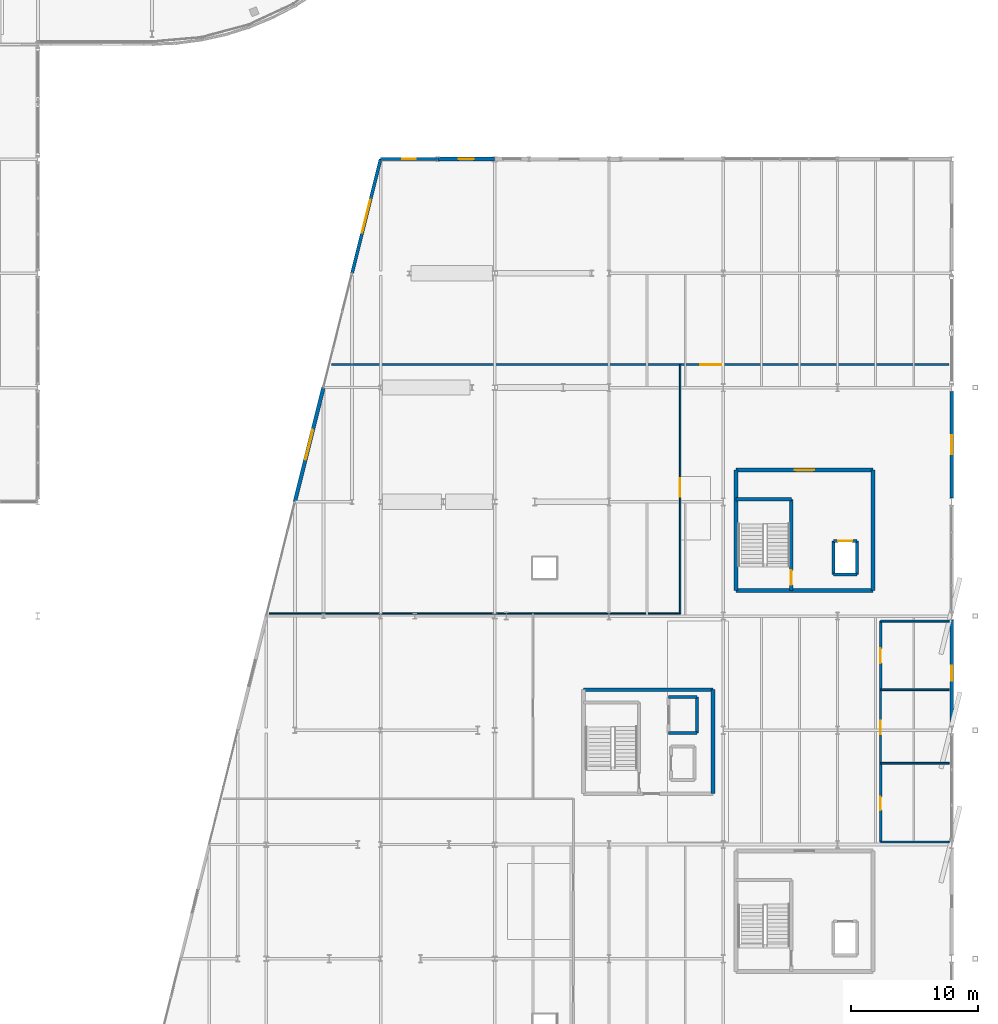
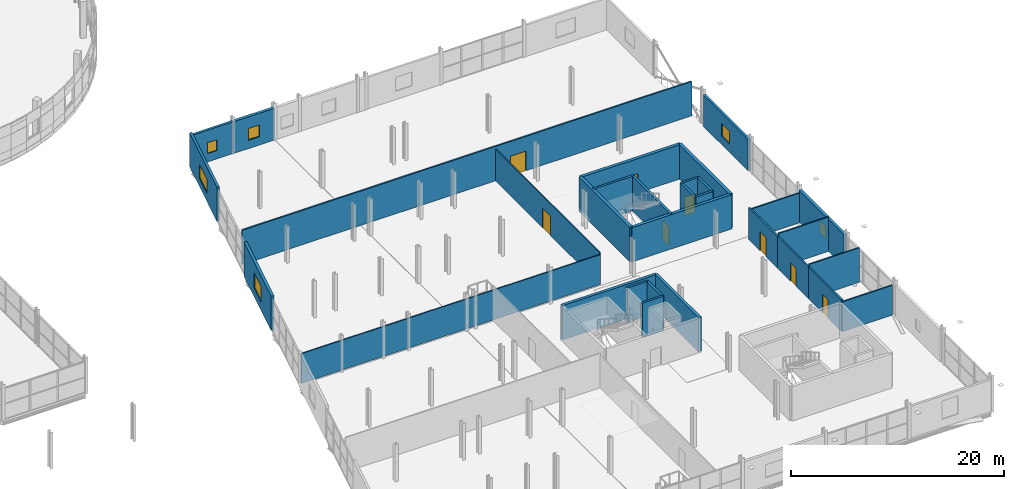
# One storey, part 116 of 132: 31 walls, 8 doors, 6 windows, 14 openings.
"""IFC4 building model written with IfcOpenShell, lengths in metres."""

from ifc_helpers import new_model, si_unit, direction, frame, frame_2d, origin, place, context, subcontext, project, spatial, rectangle, extrude, material, layer, layer_set, type_object, element, fill, save


model = new_model("IFC4")

# Units and contexts
model_context = context("Model", 3, precision=1e-05, world=origin(), true_north=direction((0.0, 1.0)))
body_context = subcontext(model_context, "Body", "Model", "MODEL_VIEW")
ifc_project = project(units=[si_unit("LENGTHUNIT", "METRE"), si_unit("AREAUNIT", "SQUARE_METRE"), si_unit("VOLUMEUNIT", "CUBIC_METRE"), si_unit("PLANEANGLEUNIT", "RADIAN"), si_unit("MASSUNIT", "GRAM", prefix="KILO")], contexts=[model_context])

# Site, building, storey
site_placement = place(None, origin())
site = spatial("IfcSite", under=ifc_project, at=site_placement, CompositionType="ELEMENT")
building_placement = place(site_placement, origin())
building = spatial("IfcBuilding", under=site, at=building_placement, Name="Deido Ridge Mobility Hub", CompositionType="ELEMENT")
storey_placement = place(building_placement, frame((0.0, 0.0, 8.39990234375)))
storey = spatial("IfcBuildingStorey", under=building, at=storey_placement, Name="L02", CompositionType="ELEMENT", Elevation=8.39990234375)

# Wall, opening, window
ifc_material_1 = material(Name="Concrete blockwork masonry", Category="masonry")
ifc_layer_1 = layer(ifc_material_1, 0.2451171875, Name="Concrete blockwork masonry")
ifc_layer_set_1 = layer_set([ifc_layer_1], Name="Concrete blockwork masonry")
wall_type_1 = type_object("IfcWallType", Name="WL-EXT-BLK-245", PredefinedType="STANDARD", material=ifc_layer_set_1)
wall_1_placement = place(storey_placement, frame((132.75, 63.0, 0.0), z_axis=(0.0, 0.0, 1.0), x_axis=(0.242535625036, 0.970142500145, 0.0)))
wall_1 = element("IfcWall", 1, at=wall_1_placement, inside=storey, type_object=wall_type_1, Name="Exterior wall EW4", PredefinedType="STANDARD", context=body_context, shape_type="SweptSolid", body=[
    extrude(rectangle(XDim=9.277099609375, YDim=0.2451171875, at=frame_2d((4.638671875, 0.0))), origin(), (0.0, 0.0, 1.0), 3.93505859375),
])
opening_1_placement = place(wall_1_placement, frame((3.28857421875, 0.0, 0.949951171875)))
opening_1 = element("IfcOpeningElement", 2, at=opening_1_placement, cuts=wall_1, Name="Opening W13", PredefinedType="OPENING", context=body_context, shape_type="SweptSolid", body=[
    extrude(rectangle(XDim=2.699951171875, YDim=1.60009765625, at=frame_2d((1.35009765625, 0.800048828125))), frame((0.0, 0.132568359375, 0.0), z_axis=(0.0, -1.0, 0.0), x_axis=(1.0, 0.0, 0.0)), (0.0, 0.0, 1.0), 0.26513671875),
])
ifc_material_2 = material(Name="Laminated solar-control low-E glass", Category="glass")
window_type_1 = type_object("IfcWindowType", Name="WN-ALU-2700X1600", PartitioningType="DOUBLE_PANEL_VERTICAL", PredefinedType="WINDOW", material=ifc_material_2)
window_1_placement = place(opening_1_placement, origin())
window_1 = element("IfcWindow", 3, at=window_1_placement, inside=storey, type_object=window_type_1, Name="Exterior window W13", OverallHeight=1.60009765625, OverallWidth=2.699951171875, PartitioningType="SINGLE_PANEL", PredefinedType="WINDOW", context=body_context, shape_type="SweptSolid", body=[
    extrude(rectangle(XDim=2.699951171875, YDim=1.60009765625, at=frame_2d((1.35009765625, 0.800048828125))), frame((0.0, 0.030029296875, 0.0), z_axis=(0.0, -1.0, 0.0), x_axis=(1.0, 0.0, 0.0)), (0.0, 0.0, 1.0), 0.06005859375),
])
fill(opening_1, window_1)

ifc_layer_2 = layer(ifc_material_1, 0.264892578125, Name="Concrete blockwork masonry")
ifc_layer_set_2 = layer_set([ifc_layer_2], Name="Concrete blockwork masonry")
wall_type_2 = type_object("IfcWallType", Name="WL-EXT-BLK-265", PredefinedType="STANDARD", material=ifc_layer_set_2)
wall_2_placement = place(storey_placement, frame((180.0, 45.300048828125, 0.0), z_axis=(0.0, 0.0, 1.0), x_axis=(0.0, 1.0, 0.0)))
wall_2 = element("IfcWall", 4, at=wall_2_placement, inside=storey, type_object=wall_type_2, Name="Exterior wall EW3", PredefinedType="STANDARD", context=body_context, shape_type="SweptSolid", body=[
    extrude(rectangle(XDim=8.39990234375, YDim=0.264892578125, at=frame_2d((4.199951171875, 0.0))), origin(), (0.0, 0.0, 1.0), 3.610107421875),
])
opening_2_placement = place(wall_2_placement, frame((3.449951171875, 0.0, 0.949951171875)))
opening_2 = element("IfcOpeningElement", 5, at=opening_2_placement, cuts=wall_2, Name="Opening W5", PredefinedType="OPENING", context=body_context, shape_type="SweptSolid", body=[
    extrude(rectangle(XDim=1.5, YDim=1.5, at=frame_2d((0.75, 0.75))), frame((0.0, 0.142578125, 0.0), z_axis=(0.0, -1.0, 0.0), x_axis=(1.0, 0.0, 0.0)), (0.0, 0.0, 1.0), 0.284912109375),
])
window_type_2 = type_object("IfcWindowType", Name="WN-ALU-1500X1500", PartitioningType="SINGLE_PANEL", PredefinedType="WINDOW", material=ifc_material_2)
window_2_placement = place(opening_2_placement, origin())
window_2 = element("IfcWindow", 6, at=window_2_placement, inside=storey, type_object=window_type_2, Name="Exterior window W5", OverallHeight=1.5, OverallWidth=1.5, PartitioningType="SINGLE_PANEL", PredefinedType="WINDOW", context=body_context, shape_type="SweptSolid", body=[
    extrude(rectangle(XDim=1.5, YDim=1.5, at=frame_2d((0.75, 0.75))), frame((0.0, 0.030029296875, 0.0), z_axis=(0.0, -1.0, 0.0), x_axis=(1.0, 0.0, 0.0)), (0.0, 0.0, 1.0), 0.06005859375),
])
fill(opening_2, window_2)

ifc_material_3 = material(Name="Fired clay brick masonry", Category="masonry")
ifc_layer_3 = layer(ifc_material_3, 0.294921875, Name="Fired clay brick masonry")
ifc_layer_set_3 = layer_set([ifc_layer_3], Name="Fired clay brick masonry")
wall_type_3 = type_object("IfcWallType", Name="WL-EXT-BRK-295", PredefinedType="STANDARD", material=ifc_layer_set_3)
wall_3_placement = place(storey_placement, frame((128.25, 45.0, 0.0), z_axis=(0.0, 0.0, 1.0), x_axis=(0.242535625036, 0.970142500145, 0.0)))
wall_3 = element("IfcWall", 7, at=wall_3_placement, inside=storey, type_object=wall_type_3, Name="Exterior wall EW2", PredefinedType="STANDARD", context=body_context, shape_type="SweptSolid", body=[
    extrude(rectangle(XDim=9.277099609375, YDim=0.294921875, at=frame_2d((4.638671875, 0.0))), origin(), (0.0, 0.0, 1.0), 3.93505859375),
])
opening_3_placement = place(wall_3_placement, frame((3.4384765625, 0.0, 0.949951171875)))
opening_3 = element("IfcOpeningElement", 8, at=opening_3_placement, cuts=wall_3, Name="Opening W11", PredefinedType="OPENING", context=body_context, shape_type="SweptSolid", body=[
    extrude(rectangle(XDim=2.39990234375, YDim=1.800048828125, at=frame_2d((1.199951171875, 0.89990234375))), frame((0.0, 0.157470703125, 0.0), z_axis=(0.0, -1.0, 0.0), x_axis=(1.0, 0.0, 0.0)), (0.0, 0.0, 1.0), 0.31494140625),
])
window_type_3 = type_object("IfcWindowType", Name="WN-ALU-2400X1800", PartitioningType="DOUBLE_PANEL_VERTICAL", PredefinedType="WINDOW", material=ifc_material_2)
window_3_placement = place(opening_3_placement, origin())
window_3 = element("IfcWindow", 9, at=window_3_placement, inside=storey, type_object=window_type_3, Name="Exterior window W11", OverallHeight=1.800048828125, OverallWidth=2.39990234375, PartitioningType="SINGLE_PANEL", PredefinedType="WINDOW", context=body_context, shape_type="SweptSolid", body=[
    extrude(rectangle(XDim=2.39990234375, YDim=1.800048828125, at=frame_2d((1.199951171875, 0.89990234375))), frame((0.0, 0.030029296875, 0.0), z_axis=(0.0, -1.0, 0.0), x_axis=(1.0, 0.0, 0.0)), (0.0, 0.0, 1.0), 0.06005859375),
])
fill(opening_3, window_3)

ifc_layer_4 = layer(ifc_material_3, 0.31005859375, Name="Fired clay brick masonry")
ifc_layer_set_4 = layer_set([ifc_layer_4], Name="Fired clay brick masonry")
wall_type_4 = type_object("IfcWallType", Name="WL-EXT-BRK-310", PredefinedType="STANDARD", material=ifc_layer_set_4)
wall_4_placement = place(storey_placement, frame((180.0, 27.300048828125, 0.0), z_axis=(0.0, 0.0, 1.0), x_axis=(0.0, 1.0, 0.0)))
wall_4 = element("IfcWall", 10, at=wall_4_placement, inside=storey, type_object=wall_type_4, Name="Exterior wall EW1", PredefinedType="STANDARD", context=body_context, shape_type="SweptSolid", body=[
    extrude(rectangle(XDim=8.39990234375, YDim=0.31005859375, at=frame_2d((4.199951171875, 0.0))), origin(), (0.0, 0.0, 1.0), 3.610107421875),
])
opening_4_placement = place(wall_4_placement, frame((3.60009765625, 0.0, 0.949951171875)))
opening_4 = element("IfcOpeningElement", 11, at=opening_4_placement, cuts=wall_4, Name="Opening W3", PredefinedType="OPENING", context=body_context, shape_type="SweptSolid", body=[
    extrude(rectangle(XDim=1.199951171875, YDim=1.35009765625, at=frame_2d((0.60009765625, 0.675048828125))), frame((0.0, 0.1650390625, 0.0), z_axis=(0.0, -1.0, 0.0), x_axis=(1.0, 0.0, 0.0)), (0.0, 0.0, 1.0), 0.330078125),
])
window_type_4 = type_object("IfcWindowType", Name="WN-ALU-1200X1350", PartitioningType="SINGLE_PANEL", PredefinedType="WINDOW", material=ifc_material_2)
window_4_placement = place(opening_4_placement, origin())
window_4 = element("IfcWindow", 12, at=window_4_placement, inside=storey, type_object=window_type_4, Name="Exterior window W3", OverallHeight=1.35009765625, OverallWidth=1.199951171875, PartitioningType="SINGLE_PANEL", PredefinedType="WINDOW", context=body_context, shape_type="SweptSolid", body=[
    extrude(rectangle(XDim=1.199951171875, YDim=1.35009765625, at=frame_2d((0.60009765625, 0.675048828125))), frame((0.0, 0.030029296875, 0.0), z_axis=(0.0, -1.0, 0.0), x_axis=(1.0, 0.0, 0.0)), (0.0, 0.0, 1.0), 0.06005859375),
])
fill(opening_4, window_4)

wall_5_placement = place(storey_placement, frame((139.506103515625, 72.0, 0.0), z_axis=(0.0, 0.0, 1.0), x_axis=(1.0, 0.0, 0.0)))
wall_5 = element("IfcWall", 13, at=wall_5_placement, inside=storey, type_object=wall_type_4, Name="Exterior wall EW1", PredefinedType="STANDARD", context=body_context, shape_type="SweptSolid", body=[
    extrude(rectangle(XDim=4.485107421875, YDim=0.31005859375, at=frame_2d((2.24267578125, 0.0))), origin(), (0.0, 0.0, 1.0), 3.64013671875),
])
opening_5_placement = place(wall_5_placement, frame((1.642578125, 0.0, 0.949951171875)))
opening_5 = element("IfcOpeningElement", 14, at=opening_5_placement, cuts=wall_5, Name="Opening W3", PredefinedType="OPENING", context=body_context, shape_type="SweptSolid", body=[
    extrude(rectangle(XDim=1.199951171875, YDim=1.35009765625, at=frame_2d((0.60009765625, 0.675048828125))), frame((0.0, 0.1650390625, 0.0), z_axis=(0.0, -1.0, 0.0), x_axis=(1.0, 0.0, 0.0)), (0.0, 0.0, 1.0), 0.330078125),
])
window_5_placement = place(opening_5_placement, origin())
window_5 = element("IfcWindow", 15, at=window_5_placement, inside=storey, type_object=window_type_4, Name="Exterior window W3", OverallHeight=1.35009765625, OverallWidth=1.199951171875, PartitioningType="SINGLE_PANEL", PredefinedType="WINDOW", context=body_context, shape_type="SweptSolid", body=[
    extrude(rectangle(XDim=1.199951171875, YDim=1.35009765625, at=frame_2d((0.60009765625, 0.675048828125))), frame((0.0, 0.030029296875, 0.0), z_axis=(0.0, -1.0, 0.0), x_axis=(1.0, 0.0, 0.0)), (0.0, 0.0, 1.0), 0.06005859375),
])
fill(opening_5, window_5)

# Wall, opening, door
ifc_material_4 = material(Name="Treated tropical hardwood timber D40", Category="wood")
ifc_layer_5 = layer(ifc_material_4, 0.10498046875, Name="Treated tropical hardwood timber D40")
ifc_layer_set_5 = layer_set([ifc_layer_5], Name="Treated tropical hardwood timber D40")
wall_type_5 = type_object("IfcWallType", Name="WL-MOV-ACO-105", PredefinedType="MOVABLE", material=ifc_layer_set_5)
wall_6_placement = place(storey_placement, frame((158.60009765625, 36.199951171875, 0.0), z_axis=(0.0, 0.0, 1.0), x_axis=(0.0, 1.0, 0.0)))
wall_6 = element("IfcWall", 16, at=wall_6_placement, inside=storey, type_object=wall_type_5, Name="V6 north-west room wall (L02)", PredefinedType="MOVABLE", context=body_context, shape_type="SweptSolid", body=[
    extrude(rectangle(XDim=19.60009765625, YDim=0.10498046875, at=frame_2d((9.800048828125, 0.0))), origin(), (0.0, 0.0, 1.0), 3.64013671875),
])
opening_6_placement = place(wall_6_placement, frame((9.199951171875, 0.0, 0.0)))
opening_6 = element("IfcOpeningElement", 17, at=opening_6_placement, cuts=wall_6, Name="Opening DR-L02-163", PredefinedType="OPENING", context=body_context, shape_type="SweptSolid", body=[
    extrude(rectangle(XDim=1.449951171875, YDim=2.219970703125, at=frame_2d((0.72509765625, 1.10986328125))), frame((0.0, 0.0625, 0.0), z_axis=(0.0, -1.0, 0.0), x_axis=(1.0, 0.0, 0.0)), (0.0, 0.0, 1.0), 0.125),
])
door_type_1 = type_object("IfcDoorType", Name="DR-INT-1450X2220", OperationType="DOUBLE_DOOR_SINGLE_SWING", PredefinedType="DOOR", material=ifc_material_4)
door_1_placement = place(opening_6_placement, origin())
door_1 = element("IfcDoor", 18, at=door_1_placement, inside=storey, type_object=door_type_1, Name="DR-I0163 V6 north-west room door (L02)", OperationType="DOUBLE_DOOR_SINGLE_SWING", OverallHeight=2.219970703125, OverallWidth=1.449951171875, PredefinedType="DOOR", context=body_context, shape_type="SweptSolid", body=[
    extrude(rectangle(XDim=1.449951171875, YDim=2.219970703125, at=frame_2d((0.72509765625, 1.10986328125))), frame((0.0, 0.02490234375, 0.0), z_axis=(0.0, -1.0, 0.0), x_axis=(1.0, 0.0, 0.0)), (0.0, 0.0, 1.0), 0.050048828125),
])
fill(opening_6, door_1)

# Wall
ifc_layer_6 = layer(ifc_material_4, 0.114990234375, Name="Treated tropical hardwood timber D40")
ifc_layer_set_6 = layer_set([ifc_layer_6], Name="Treated tropical hardwood timber D40")
wall_type_6 = type_object("IfcWallType", Name="WL-MOV-ACO-115", PredefinedType="MOVABLE", material=ifc_layer_set_6)
wall_7_placement = place(storey_placement, frame((126.25, 36.199951171875, 0.0), z_axis=(0.0, 0.0, 1.0), x_axis=(1.0, 0.0, 0.0)))
element("IfcWall", 19, at=wall_7_placement, inside=storey, type_object=wall_type_6, Name="V6 central-north cross wall (L02)", PredefinedType="MOVABLE", context=body_context, shape_type="SweptSolid", body=[
    extrude(rectangle(XDim=32.35009765625, YDim=0.114990234375, at=frame_2d((16.175048828125, 0.0))), origin(), (0.0, 0.0, 1.0), 3.41015625),
])

# Wall, opening, window
ifc_layer_7 = layer(ifc_material_1, 0.2548828125, Name="Concrete blockwork masonry")
ifc_layer_set_7 = layer_set([ifc_layer_7], Name="Concrete blockwork masonry")
wall_type_7 = type_object("IfcWallType", Name="WL-PLG-BLK-255", PredefinedType="POLYGONAL", material=ifc_layer_set_7)
wall_8_placement = place(storey_placement, frame((135.0, 72.0, 0.0), z_axis=(0.0, 0.0, 1.0), x_axis=(1.0, 0.0, 0.0)))
wall_8 = element("IfcWall", 20, at=wall_8_placement, inside=storey, type_object=wall_type_7, Name="Exterior wall PGW2", PredefinedType="POLYGONAL", context=body_context, shape_type="SweptSolid", body=[
    extrude(rectangle(XDim=4.493896484375, YDim=0.2548828125, at=frame_2d((2.2470703125, 0.0))), origin(), (0.0, 0.0, 1.0), 3.64013671875),
])
opening_7_placement = place(wall_8_placement, frame((1.721923828125, 0.0, 0.949951171875)))
opening_7 = element("IfcOpeningElement", 21, at=opening_7_placement, cuts=wall_8, Name="Opening W2", PredefinedType="OPENING", context=body_context, shape_type="SweptSolid", body=[
    extrude(rectangle(XDim=1.050048828125, YDim=1.25, at=frame_2d((0.52490234375, 0.625))), frame((0.0, 0.137451171875, 0.0), z_axis=(0.0, -1.0, 0.0), x_axis=(1.0, 0.0, 0.0)), (0.0, 0.0, 1.0), 0.27490234375),
])
window_type_5 = type_object("IfcWindowType", Name="WN-ALU-1050X1250", PartitioningType="SINGLE_PANEL", PredefinedType="WINDOW", material=ifc_material_2)
window_6_placement = place(opening_7_placement, origin())
window_6 = element("IfcWindow", 22, at=window_6_placement, inside=storey, type_object=window_type_5, Name="Exterior window W2", OverallHeight=1.25, OverallWidth=1.050048828125, PartitioningType="SINGLE_PANEL", PredefinedType="WINDOW", context=body_context, shape_type="SweptSolid", body=[
    extrude(rectangle(XDim=1.050048828125, YDim=1.25, at=frame_2d((0.52490234375, 0.625))), frame((0.0, 0.030029296875, 0.0), z_axis=(0.0, -1.0, 0.0), x_axis=(1.0, 0.0, 0.0)), (0.0, 0.0, 1.0), 0.06005859375),
])
fill(opening_7, window_6)

# Walls
ifc_layer_8 = layer(ifc_material_1, 0.139892578125, Name="Concrete blockwork masonry")
ifc_layer_set_8 = layer_set([ifc_layer_8], Name="Concrete blockwork masonry")
wall_type_8 = type_object("IfcWallType", Name="WL-PRT-BLK-140", PredefinedType="PARTITIONING", material=ifc_layer_set_8)
wall_9_placement = place(storey_placement, frame((174.39990234375, 18.199951171875, 0.0), z_axis=(0.0, 0.0, 1.0), x_axis=(1.0, 0.0, 0.0)))
element("IfcWall", 23, at=wall_9_placement, inside=storey, type_object=wall_type_8, Name="WC cross wall (L02)", PredefinedType="PARTITIONING", context=body_context, shape_type="SweptSolid", body=[
    extrude(rectangle(XDim=5.400146484375, YDim=0.139892578125, at=frame_2d((2.7001953125, 0.0))), origin(), (0.0, 0.0, 1.0), 3.41015625),
])
for number, where, z_axis, x_axis, name in (
    (24, (174.39990234375, 24.39990234375, 0.0), (0.0, 0.0, 1.0), (1.0, 0.0, 0.0), "WC cross wall (L02)"),
    (25, (174.39990234375, 30.199951171875, 0.0), (0.0, 0.0, 1.0), (1.0, 0.0, 0.0), "WC cross wall (L02)"),
):
    element("IfcWall", number, at=place(storey_placement, frame(where, z_axis=z_axis, x_axis=x_axis)), inside=storey, type_object=wall_type_8, Name=name, PredefinedType="PARTITIONING", context=body_context, shape_type="SweptSolid", body=[
        extrude(rectangle(XDim=5.400146484375, YDim=0.139892578125, at=frame_2d((2.7001953125, 0.0))), origin(), (0.0, 0.0, 1.0), 3.93505859375),
    ])
wall_10_placement = place(storey_placement, frame((174.39990234375, 35.60009765625, 0.0), z_axis=(0.0, 0.0, 1.0), x_axis=(1.0, 0.0, 0.0)))
element("IfcWall", 26, at=wall_10_placement, inside=storey, type_object=wall_type_8, Name="WC cross wall (L02)", PredefinedType="PARTITIONING", context=body_context, shape_type="SweptSolid", body=[
    extrude(rectangle(XDim=5.400146484375, YDim=0.139892578125, at=frame_2d((2.7001953125, 0.0))), origin(), (0.0, 0.0, 1.0), 3.41015625),
])

# Wall, opening, door
ifc_layer_9 = layer(ifc_material_1, 0.159912109375, Name="Concrete blockwork masonry")
ifc_layer_set_9 = layer_set([ifc_layer_9], Name="Concrete blockwork masonry")
wall_type_9 = type_object("IfcWallType", Name="WL-PRT-BLK-160", PredefinedType="PARTITIONING", material=ifc_layer_set_9)
wall_11_placement = place(storey_placement, frame((131.14990234375, 55.800048828125, 0.0), z_axis=(0.0, 0.0, 1.0), x_axis=(1.0, 0.0, 0.0)))
wall_11 = element("IfcWall", 27, at=wall_11_placement, inside=storey, type_object=wall_type_9, Name="V6 north hall divider (L02)", PredefinedType="PARTITIONING", context=body_context, shape_type="SweptSolid", body=[
    extrude(rectangle(XDim=48.650146484375, YDim=0.159912109375, at=frame_2d((24.3251953125, 0.0))), origin(), (0.0, 0.0, 1.0), 3.93505859375),
])
opening_8_placement = place(wall_11_placement, frame((29.050048828125, 0.0, 0.0)))
opening_8 = element("IfcOpeningElement", 28, at=opening_8_placement, cuts=wall_11, Name="Opening DR-L02-164", PredefinedType="OPENING", context=body_context, shape_type="SweptSolid", body=[
    extrude(rectangle(XDim=1.64990234375, YDim=2.25, at=frame_2d((0.824951171875, 1.125))), frame((0.0, 0.08984375, 0.0), z_axis=(0.0, -1.0, 0.0), x_axis=(1.0, 0.0, 0.0)), (0.0, 0.0, 1.0), 0.179931640625),
])
door_type_2 = type_object("IfcDoorType", Name="DR-INT-1650X2250", OperationType="DOUBLE_DOOR_SINGLE_SWING", PredefinedType="DOOR", material=ifc_material_4)
door_2_placement = place(opening_8_placement, origin())
door_2 = element("IfcDoor", 29, at=door_2_placement, inside=storey, type_object=door_type_2, Name="DR-I0164 V6 north hall door (L02)", OperationType="DOUBLE_DOOR_SINGLE_SWING", OverallHeight=2.25, OverallWidth=1.64990234375, PredefinedType="DOOR", context=body_context, shape_type="SweptSolid", body=[
    extrude(rectangle(XDim=1.64990234375, YDim=2.25, at=frame_2d((0.824951171875, 1.125))), frame((0.0, 0.02490234375, 0.0), z_axis=(0.0, -1.0, 0.0), x_axis=(1.0, 0.0, 0.0)), (0.0, 0.0, 1.0), 0.050048828125),
])
fill(opening_8, door_2)

ifc_layer_10 = layer(ifc_material_1, 0.169921875, Name="Concrete blockwork masonry")
ifc_layer_set_10 = layer_set([ifc_layer_10], Name="Concrete blockwork masonry")
wall_type_10 = type_object("IfcWallType", Name="WL-PRT-BLK-170", PredefinedType="PARTITIONING", material=ifc_layer_set_10)
wall_12_placement = place(storey_placement, frame((174.39990234375, 24.39990234375, 0.0), z_axis=(0.0, 0.0, 1.0), x_axis=(0.0, 1.0, 0.0)))
wall_12 = element("IfcWall", 30, at=wall_12_placement, inside=storey, type_object=wall_type_10, Name="Female WC west wall (L02)", PredefinedType="PARTITIONING", context=body_context, shape_type="SweptSolid", body=[
    extrude(rectangle(XDim=5.800048828125, YDim=0.169921875, at=frame_2d((2.89990234375, 0.0))), origin(), (0.0, 0.0, 1.0), 3.610107421875),
])
opening_9_placement = place(wall_12_placement, frame((2.300048828125, 0.0, 0.0)))
opening_9 = element("IfcOpeningElement", 31, at=opening_9_placement, cuts=wall_12, Name="Opening DR-L02-158", PredefinedType="OPENING", context=body_context, shape_type="SweptSolid", body=[
    extrude(rectangle(XDim=1.050048828125, YDim=2.10009765625, at=frame_2d((0.52490234375, 1.050048828125))), frame((0.0, 0.094970703125, 0.0), z_axis=(0.0, -1.0, 0.0), x_axis=(1.0, 0.0, 0.0)), (0.0, 0.0, 1.0), 0.18994140625),
])
ifc_material_5 = material(Name="Galvanised steel work", Category="steel")
door_type_3 = type_object("IfcDoorType", Name="DR-FD60-1050X2100", OperationType="NOTDEFINED", PredefinedType="DOOR", material=ifc_material_5)
door_3_placement = place(opening_9_placement, origin())
door_3 = element("IfcDoor", 32, at=door_3_placement, inside=storey, type_object=door_type_3, Name="DR-I0158 Female WC door (L02)", OperationType="SINGLE_SWING_RIGHT", OverallHeight=2.10009765625, OverallWidth=1.050048828125, PredefinedType="DOOR", context=body_context, shape_type="SweptSolid", body=[
    extrude(rectangle(XDim=1.050048828125, YDim=2.10009765625, at=frame_2d((0.52490234375, 1.050048828125))), frame((0.0, 0.02490234375, 0.0), z_axis=(0.0, -1.0, 0.0), x_axis=(1.0, 0.0, 0.0)), (0.0, 0.0, 1.0), 0.050048828125),
])
fill(opening_9, door_3)

ifc_layer_11 = layer(ifc_material_1, 0.179931640625, Name="Concrete blockwork masonry")
ifc_layer_set_11 = layer_set([ifc_layer_11], Name="Concrete blockwork masonry")
wall_type_11 = type_object("IfcWallType", Name="WL-PRT-BLK-180", PredefinedType="PARTITIONING", material=ifc_layer_set_11)
wall_13_placement = place(storey_placement, frame((174.39990234375, 18.199951171875, 0.0), z_axis=(0.0, 0.0, 1.0), x_axis=(0.0, 1.0, 0.0)))
wall_13 = element("IfcWall", 33, at=wall_13_placement, inside=storey, type_object=wall_type_11, Name="Male WC west wall (L02)", PredefinedType="PARTITIONING", context=body_context, shape_type="SweptSolid", body=[
    extrude(rectangle(XDim=6.199951171875, YDim=0.179931640625, at=frame_2d((3.10009765625, 0.0))), origin(), (0.0, 0.0, 1.0), 3.610107421875),
])
opening_10_placement = place(wall_13_placement, frame((2.5, 0.0, 0.0)))
opening_10 = element("IfcOpeningElement", 34, at=opening_10_placement, cuts=wall_13, Name="Opening DR-L02-157", PredefinedType="OPENING", context=body_context, shape_type="SweptSolid", body=[
    extrude(rectangle(XDim=1.050048828125, YDim=2.10009765625, at=frame_2d((0.52490234375, 1.050048828125))), frame((0.0, 0.10009765625, 0.0), z_axis=(0.0, -1.0, 0.0), x_axis=(1.0, 0.0, 0.0)), (0.0, 0.0, 1.0), 0.199951171875),
])
door_4_placement = place(opening_10_placement, origin())
door_4 = element("IfcDoor", 35, at=door_4_placement, inside=storey, type_object=door_type_3, Name="DR-I0157 Male WC door (L02)", OperationType="SINGLE_SWING_LEFT", OverallHeight=2.10009765625, OverallWidth=1.050048828125, PredefinedType="DOOR", context=body_context, shape_type="SweptSolid", body=[
    extrude(rectangle(XDim=1.050048828125, YDim=2.10009765625, at=frame_2d((0.52490234375, 1.050048828125))), frame((0.0, 0.02490234375, 0.0), z_axis=(0.0, -1.0, 0.0), x_axis=(1.0, 0.0, 0.0)), (0.0, 0.0, 1.0), 0.050048828125),
])
fill(opening_10, door_4)

wall_14_placement = place(storey_placement, frame((174.39990234375, 30.199951171875, 0.0), z_axis=(0.0, 0.0, 1.0), x_axis=(0.0, 1.0, 0.0)))
wall_14 = element("IfcWall", 36, at=wall_14_placement, inside=storey, type_object=wall_type_11, Name="Accessible WC west wall (L02)", PredefinedType="PARTITIONING", context=body_context, shape_type="SweptSolid", body=[
    extrude(rectangle(XDim=5.400146484375, YDim=0.179931640625, at=frame_2d((2.7001953125, 0.0))), origin(), (0.0, 0.0, 1.0), 3.610107421875),
])
opening_11_placement = place(wall_14_placement, frame((2.10009765625, 0.0, 0.0)))
opening_11 = element("IfcOpeningElement", 37, at=opening_11_placement, cuts=wall_14, Name="Opening DR-L02-159", PredefinedType="OPENING", context=body_context, shape_type="SweptSolid", body=[
    extrude(rectangle(XDim=1.14990234375, YDim=2.14990234375, at=frame_2d((0.574951171875, 1.074951171875))), frame((0.0, 0.10009765625, 0.0), z_axis=(0.0, -1.0, 0.0), x_axis=(1.0, 0.0, 0.0)), (0.0, 0.0, 1.0), 0.199951171875),
])
door_type_4 = type_object("IfcDoorType", Name="DR-FD60-1150X2150", OperationType="NOTDEFINED", PredefinedType="DOOR", material=ifc_material_5)
door_5_placement = place(opening_11_placement, origin())
door_5 = element("IfcDoor", 38, at=door_5_placement, inside=storey, type_object=door_type_4, Name="DR-I0159 Accessible WC door (L02)", OperationType="SINGLE_SWING_LEFT", OverallHeight=2.14990234375, OverallWidth=1.14990234375, PredefinedType="DOOR", context=body_context, shape_type="SweptSolid", body=[
    extrude(rectangle(XDim=1.14990234375, YDim=2.14990234375, at=frame_2d((0.574951171875, 1.074951171875))), frame((0.0, 0.02490234375, 0.0), z_axis=(0.0, -1.0, 0.0), x_axis=(1.0, 0.0, 0.0)), (0.0, 0.0, 1.0), 0.050048828125),
])
fill(opening_11, door_5)

ifc_material_6 = material(Name="Concrete C40/50", Category="concrete")
ifc_layer_12 = layer(ifc_material_6, 0.25, Name="Concrete C40/50")
ifc_layer_set_12 = layer_set([ifc_layer_12], Name="Concrete C40/50")
wall_type_12 = type_object("IfcWallType", Name="WL-SHR-RC-250", PredefinedType="SHEAR", material=ifc_layer_set_12)
wall_15_placement = place(storey_placement, frame((167.360107421875, 38.0, 0.0), z_axis=(0.0, 0.0, 1.0), x_axis=(0.0, 1.0, 0.0)))
wall_15 = element("IfcWall", 39, at=wall_15_placement, inside=storey, type_object=wall_type_12, Name="C2 stair shaft east wall", PredefinedType="SHEAR", context=body_context, shape_type="SweptSolid", body=[
    extrude(rectangle(XDim=7.199951171875, YDim=0.25, at=frame_2d((3.60009765625, 0.0))), origin(), (0.0, 0.0, 1.0), 3.93505859375),
])
opening_12_placement = place(wall_15_placement, frame((0.449951171875, 0.0, 0.0)))
opening_12 = element("IfcOpeningElement", 40, at=opening_12_placement, cuts=wall_15, Name="Opening FD-C2-L02", PredefinedType="OPENING", context=body_context, shape_type="SweptSolid", body=[
    extrude(rectangle(XDim=1.14990234375, YDim=2.14990234375, at=frame_2d((0.574951171875, 1.074951171875))), frame((0.0, 0.135009765625, 0.0), z_axis=(0.0, -1.0, 0.0), x_axis=(1.0, 0.0, 0.0)), (0.0, 0.0, 1.0), 0.27001953125),
])
door_6_placement = place(opening_12_placement, origin())
door_6 = element("IfcDoor", 41, at=door_6_placement, inside=storey, type_object=door_type_4, Name="DR-I0034 C2 protected stair door (L02)", OperationType="SINGLE_SWING_RIGHT", OverallHeight=2.14990234375, OverallWidth=1.14990234375, PredefinedType="DOOR", context=body_context, shape_type="SweptSolid", body=[
    extrude(rectangle(XDim=1.14990234375, YDim=2.14990234375, at=frame_2d((0.574951171875, 1.074951171875))), frame((0.0, 0.02490234375, 0.0), z_axis=(0.0, -1.0, 0.0), x_axis=(1.0, 0.0, 0.0)), (0.0, 0.0, 1.0), 0.050048828125),
])
fill(opening_12, door_6)

# Walls
wall_16_placement = place(storey_placement, frame((163.0, 45.199951171875, 0.0), z_axis=(0.0, 0.0, 1.0), x_axis=(1.0, 0.0, 0.0)))
element("IfcWall", 42, at=wall_16_placement, inside=storey, type_object=wall_type_12, Name="C2 stair shaft north wall", PredefinedType="SHEAR", context=body_context, shape_type="SweptSolid", body=[
    extrude(rectangle(XDim=4.360107421875, YDim=0.25, at=frame_2d((2.18017578125, 0.0))), origin(), (0.0, 0.0, 1.0), 3.93505859375),
])
wall_17_placement = place(storey_placement, frame((170.675048828125, 39.27490234375, 0.0), z_axis=(0.0, 0.0, 1.0), x_axis=(1.0, 0.0, 0.0)))
element("IfcWall", 43, at=wall_17_placement, inside=storey, type_object=wall_type_12, Name="Lift FL2 rear shaft wall", PredefinedType="SHEAR", context=body_context, shape_type="SweptSolid", body=[
    extrude(rectangle(XDim=1.849853515625, YDim=0.25, at=frame_2d((0.9248046875, 0.0))), origin(), (0.0, 0.0, 1.0), 3.93505859375),
])
for number, where, z_axis, x_axis, name in (
    (44, (170.675048828125, 39.27490234375, 0.0), (0.0, 0.0, 1.0), (0.0, 1.0, 0.0), "Lift FL2 west shaft wall"),
    (45, (172.52490234375, 39.27490234375, 0.0), (0.0, 0.0, 1.0), (0.0, 1.0, 0.0), "Lift FL2 east shaft wall"),
):
    element("IfcWall", number, at=place(storey_placement, frame(where, z_axis=z_axis, x_axis=x_axis)), inside=storey, type_object=wall_type_12, Name=name, PredefinedType="SHEAR", context=body_context, shape_type="SweptSolid", body=[
        extrude(rectangle(XDim=2.650146484375, YDim=0.25, at=frame_2d((1.3251953125, 0.0))), origin(), (0.0, 0.0, 1.0), 3.93505859375),
    ])

# Wall, opening, door
wall_18_placement = place(storey_placement, frame((170.675048828125, 41.925048828125, 0.0), z_axis=(0.0, 0.0, 1.0), x_axis=(1.0, 0.0, 0.0)))
wall_18 = element("IfcWall", 46, at=wall_18_placement, inside=storey, type_object=wall_type_12, Name="Lift FL2 landing wall", PredefinedType="SHEAR", context=body_context, shape_type="SweptSolid", body=[
    extrude(rectangle(XDim=1.849853515625, YDim=0.25, at=frame_2d((0.9248046875, 0.0))), origin(), (0.0, 0.0, 1.0), 3.93505859375),
])
opening_13_placement = place(wall_18_placement, frame((0.375, 0.0, 0.0)))
opening_13 = element("IfcOpeningElement", 47, at=opening_13_placement, cuts=wall_18, Name="Opening LD-FL2", PredefinedType="OPENING", context=body_context, shape_type="SweptSolid", body=[
    extrude(rectangle(XDim=1.10009765625, YDim=2.14990234375, at=frame_2d((0.550048828125, 1.074951171875))), frame((0.0, 0.135009765625, 0.0), z_axis=(0.0, -1.0, 0.0), x_axis=(1.0, 0.0, 0.0)), (0.0, 0.0, 1.0), 0.27001953125),
])
ifc_material_7 = material(Name="Stainless steel 316", Category="steel")
door_type_5 = type_object("IfcDoorType", Name="DR-LND-PAS-1100X2150", OperationType="DOUBLE_DOOR_SLIDING", PredefinedType="USERDEFINED", material=ifc_material_7)
door_7_placement = place(opening_13_placement, origin())
door_7 = element("IfcDoor", 48, at=door_7_placement, inside=storey, type_object=door_type_5, Name="DR-I0036 Lift FL2 sliding landing door (L02)", ObjectType="LANDING DOOR", OperationType="DOUBLE_DOOR_SLIDING", OverallHeight=2.14990234375, OverallWidth=1.10009765625, PredefinedType="USERDEFINED", context=body_context, shape_type="SweptSolid", body=[
    extrude(rectangle(XDim=1.10009765625, YDim=2.14990234375, at=frame_2d((0.550048828125, 1.074951171875))), frame((0.0, 0.02490234375, 0.0), z_axis=(0.0, -1.0, 0.0), x_axis=(1.0, 0.0, 0.0)), (0.0, 0.0, 1.0), 0.050048828125),
])
fill(opening_13, door_7)

# Walls
for number, where, z_axis, x_axis, name in (
    (49, (157.675048828125, 26.77490234375, 0.0), (0.0, 0.0, 1.0), (1.0, 0.0, 0.0), "Lift GL1 south shaft wall"),
    (50, (157.675048828125, 29.625, 0.0), (0.0, 0.0, 1.0), (1.0, 0.0, 0.0), "Lift GL1 north shaft wall"),
):
    element("IfcWall", number, at=place(storey_placement, frame(where, z_axis=z_axis, x_axis=x_axis)), inside=storey, type_object=wall_type_12, Name=name, PredefinedType="SHEAR", context=body_context, shape_type="SweptSolid", body=[
        extrude(rectangle(XDim=2.25, YDim=0.25, at=frame_2d((1.125, 0.0))), origin(), (0.0, 0.0, 1.0), 3.93505859375),
    ])
wall_19_placement = place(storey_placement, frame((159.925048828125, 26.77490234375, 0.0), z_axis=(0.0, 0.0, 1.0), x_axis=(0.0, 1.0, 0.0)))
element("IfcWall", 51, at=wall_19_placement, inside=storey, type_object=wall_type_12, Name="Lift GL1 rear shaft wall", PredefinedType="SHEAR", context=body_context, shape_type="SweptSolid", body=[
    extrude(rectangle(XDim=2.85009765625, YDim=0.25, at=frame_2d((1.425048828125, 0.0))), origin(), (0.0, 0.0, 1.0), 3.93505859375),
])
ifc_layer_13 = layer(ifc_material_6, 0.300048828125, Name="Concrete C40/50")
ifc_layer_set_13 = layer_set([ifc_layer_13], Name="Concrete C40/50")
wall_type_13 = type_object("IfcWallType", Name="WL-SHR-RC-300", PredefinedType="SHEAR", material=ifc_layer_set_13)
wall_20_placement = place(storey_placement, frame((161.199951171875, 22.0, 0.0), z_axis=(0.0, 0.0, 1.0), x_axis=(0.0, 1.0, 0.0)))
element("IfcWall", 52, at=wall_20_placement, inside=storey, type_object=wall_type_13, Name="C3 east shear wall", PredefinedType="SHEAR", context=body_context, shape_type="SweptSolid", body=[
    extrude(rectangle(XDim=8.199951171875, YDim=0.300048828125, at=frame_2d((4.10009765625, 0.0))), origin(), (0.0, 0.0, 1.0), 3.93505859375),
])
wall_21_placement = place(storey_placement, frame((161.199951171875, 30.199951171875, 0.0), z_axis=(0.0, 0.0, 1.0), x_axis=(-1.0, 0.0, 0.0)))
element("IfcWall", 53, at=wall_21_placement, inside=storey, type_object=wall_type_13, Name="C3 north shear wall", PredefinedType="SHEAR", context=body_context, shape_type="SweptSolid", body=[
    extrude(rectangle(XDim=10.199951171875, YDim=0.300048828125, at=frame_2d((5.10009765625, 0.0))), origin(), (0.0, 0.0, 1.0), 3.93505859375),
])
ifc_layer_14 = layer(ifc_material_6, 0.324951171875, Name="Concrete C40/50")
ifc_layer_set_14 = layer_set([ifc_layer_14], Name="Concrete C40/50")
wall_type_14 = type_object("IfcWallType", Name="WL-SHR-RC-325", PredefinedType="SHEAR", material=ifc_layer_set_14)
wall_22_placement = place(storey_placement, frame((163.0, 38.0, 0.0), z_axis=(0.0, 0.0, 1.0), x_axis=(1.0, 0.0, 0.0)))
element("IfcWall", 54, at=wall_22_placement, inside=storey, type_object=wall_type_14, Name="C2 south shear wall", PredefinedType="SHEAR", context=body_context, shape_type="SweptSolid", body=[
    extrude(rectangle(XDim=10.800048828125, YDim=0.324951171875, at=frame_2d((5.39990234375, 0.0))), origin(), (0.0, 0.0, 1.0), 3.93505859375),
])
wall_23_placement = place(storey_placement, frame((173.800048828125, 38.0, 0.0), z_axis=(0.0, 0.0, 1.0), x_axis=(0.0, 1.0, 0.0)))
element("IfcWall", 55, at=wall_23_placement, inside=storey, type_object=wall_type_14, Name="C2 east shear wall", PredefinedType="SHEAR", context=body_context, shape_type="SweptSolid", body=[
    extrude(rectangle(XDim=9.5, YDim=0.324951171875, at=frame_2d((4.75, 0.0))), origin(), (0.0, 0.0, 1.0), 3.93505859375),
])

# Wall, opening, door
wall_24_placement = place(storey_placement, frame((173.800048828125, 47.5, 0.0), z_axis=(0.0, 0.0, 1.0), x_axis=(-1.0, 0.0, 0.0)))
wall_24 = element("IfcWall", 56, at=wall_24_placement, inside=storey, type_object=wall_type_14, Name="C2 north shear wall", PredefinedType="SHEAR", context=body_context, shape_type="SweptSolid", body=[
    extrude(rectangle(XDim=10.800048828125, YDim=0.324951171875, at=frame_2d((5.39990234375, 0.0))), origin(), (0.0, 0.0, 1.0), 3.93505859375),
])
opening_14_placement = place(wall_24_placement, frame((4.64990234375, 0.0, 0.0)))
opening_14 = element("IfcOpeningElement", 57, at=opening_14_placement, cuts=wall_24, Name="Opening LD-C2-035", PredefinedType="OPENING", context=body_context, shape_type="SweptSolid", body=[
    extrude(rectangle(XDim=1.5, YDim=2.199951171875, at=frame_2d((0.75, 1.10009765625))), frame((0.0, 0.17236328125, 0.0), z_axis=(0.0, -1.0, 0.0), x_axis=(1.0, 0.0, 0.0)), (0.0, 0.0, 1.0), 0.344970703125),
])
door_type_6 = type_object("IfcDoorType", Name="DR-FD60-1500X2200", OperationType="DOUBLE_DOOR_SINGLE_SWING", PredefinedType="DOOR", material=ifc_material_5)
door_8_placement = place(opening_14_placement, origin())
door_8 = element("IfcDoor", 58, at=door_8_placement, inside=storey, type_object=door_type_6, Name="DR-I0035 C2 firefighting lobby door (L02)", OperationType="DOUBLE_DOOR_SINGLE_SWING", OverallHeight=2.199951171875, OverallWidth=1.5, PredefinedType="DOOR", context=body_context, shape_type="SweptSolid", body=[
    extrude(rectangle(XDim=1.5, YDim=2.199951171875, at=frame_2d((0.75, 1.10009765625))), frame((0.0, 0.02490234375, 0.0), z_axis=(0.0, -1.0, 0.0), x_axis=(1.0, 0.0, 0.0)), (0.0, 0.0, 1.0), 0.050048828125),
])
fill(opening_14, door_8)

# Wall
wall_25_placement = place(storey_placement, frame((163.0, 47.5, 0.0), z_axis=(0.0, 0.0, 1.0), x_axis=(0.0, -1.0, 0.0)))
element("IfcWall", 59, at=wall_25_placement, inside=storey, type_object=wall_type_14, Name="C2 west shear wall", PredefinedType="SHEAR", context=body_context, shape_type="SweptSolid", body=[
    extrude(rectangle(XDim=9.5, YDim=0.324951171875, at=frame_2d((4.75, 0.0))), origin(), (0.0, 0.0, 1.0), 3.93505859375),
])

save(model, "model.ifc")
